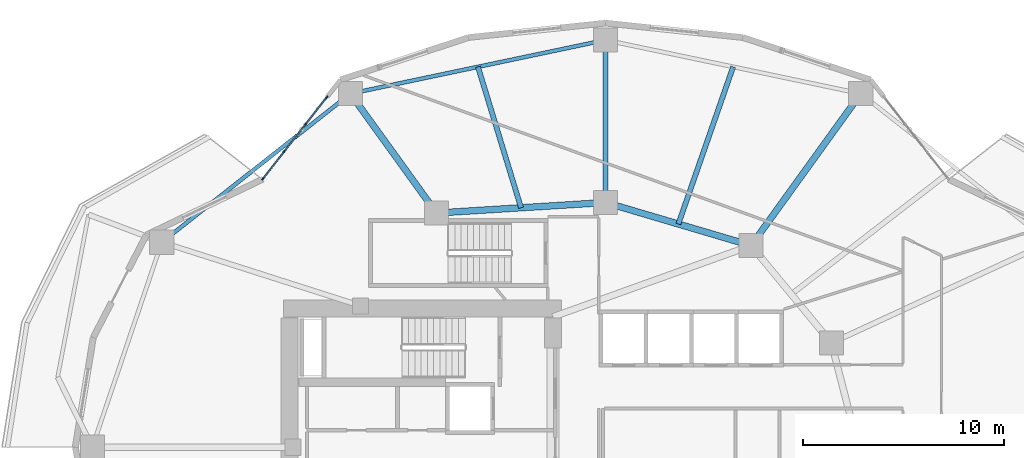
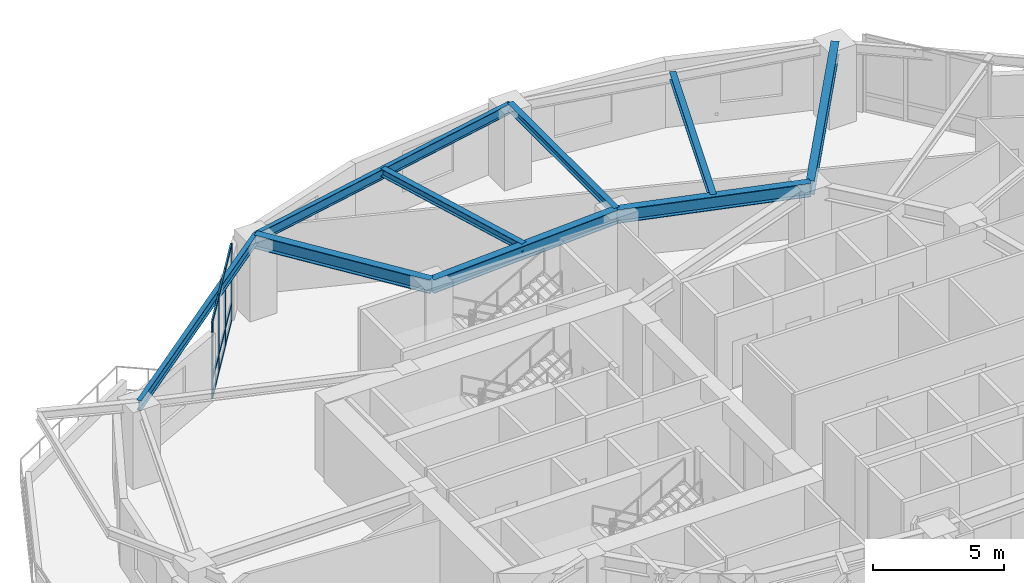
# One storey, part 2 of 12: 13 members, 9 beams, 1 element without a shape of its own.
"""IFC4 building model written with IfcOpenShell, lengths in metres."""

from ifc_helpers import new_model, si_unit, direction, frame, origin, origin_2d, place, context, subcontext, project, spatial, rectangle, i_section, extrude, material, layer, layer_set, material_profile, profile_set, type_object, element, aggregate, save


model = new_model("IFC4")

# Units and contexts
model_context = context("Model", 3, precision=1e-05, world=origin(), true_north=direction((0.0, 1.0)))
body_context = subcontext(model_context, "Body", "Model", "MODEL_VIEW")
ifc_project = project(units=[si_unit("LENGTHUNIT", "METRE"), si_unit("AREAUNIT", "SQUARE_METRE"), si_unit("VOLUMEUNIT", "CUBIC_METRE"), si_unit("PLANEANGLEUNIT", "RADIAN"), si_unit("MASSUNIT", "GRAM", prefix="KILO")], contexts=[model_context])

# Site, building, storey
site_placement = place(None, origin())
site = spatial("IfcSite", under=ifc_project, at=site_placement, CompositionType="ELEMENT")
building_placement = place(site_placement, origin())
building = spatial("IfcBuilding", under=site, at=building_placement, Name="Kolvaren Gate Tower and Convention Centre", CompositionType="ELEMENT")
storey_placement = place(building_placement, frame((0.0, 0.0, 84.25)))
storey = spatial("IfcBuildingStorey", under=building, at=storey_placement, Name="L20", CompositionType="ELEMENT", Elevation=84.25)

# Curtain wall, members
ifc_material_1 = material(Name="Anodized Architectural Aluminium Alloy 6063-T6", Category="aluminium")
ifc_layer = layer(ifc_material_1, 0.159912109375)
ifc_layer_set = layer_set([ifc_layer], Name="Anodized Architectural Aluminium Alloy 6063-T6")
curtain_wall_type = type_object("IfcCurtainWallType", Name="CW-OFF-UNIT", PredefinedType="NOTDEFINED", material=ifc_layer_set)
curtain_wall_placement = place(storey_placement, origin())
curtain_wall = element("IfcCurtainWall", 1, at=curtain_wall_placement, inside=storey, type_object=curtain_wall_type, Name="Tower L20 Unitised Curtain Wall CW-OFF-UNIT Bay 08", PredefinedType="NOTDEFINED")
ifc_material_profile_1 = material_profile(ifc_material_1, rectangle(XDim=0.06494140625, YDim=0.159912109375, at=origin_2d()), Name="CW-MEM-MUL-160")
ifc_profile_set_1 = profile_set([ifc_material_profile_1], Name="Anodized Architectural Aluminium Alloy 6063-T6")
member_type_1 = type_object("IfcMemberType", Name="CW-MEM-MUL-160", PredefinedType="MULLION", material=ifc_profile_set_1)
member_1_placement = place(storey_placement, frame((13.046142578125, 40.3857421875, 0.0), z_axis=(0.0, 0.0, 1.0), x_axis=(-0.787403080271, 0.616438471527, 0.0)))
member_1 = element("IfcMember", 2, at=member_1_placement, type_object=member_type_1, Name="CW-02 mullion 1", PredefinedType="MULLION", context=body_context, shape_type="SweptSolid", body=[
    extrude(rectangle(XDim=0.06494140625, YDim=0.159912109375, at=origin_2d()), origin(), (0.0, 0.0, 1.0), 3.570068359375),
])
member_2_placement = place(storey_placement, frame((14.098388671875, 41.729736328125, 0.0), z_axis=(0.0, 0.0, 1.0), x_axis=(-0.787403080271, 0.616438471527, 0.0)))
member_2 = element("IfcMember", 3, at=member_2_placement, type_object=member_type_1, Name="CW-02 mullion 2", PredefinedType="MULLION", context=body_context, shape_type="SweptSolid", body=[
    extrude(rectangle(XDim=0.06494140625, YDim=0.159912109375, at=origin_2d()), origin(), (0.0, 0.0, 1.0), 3.570068359375),
])
member_3_placement = place(storey_placement, frame((15.17041015625, 43.09912109375, 0.0), z_axis=(0.0, 0.0, 1.0), x_axis=(-0.787403080271, 0.616438471527, 0.0)))
member_3 = element("IfcMember", 4, at=member_3_placement, type_object=member_type_1, Name="CW-02 mullion 3", PredefinedType="MULLION", context=body_context, shape_type="SweptSolid", body=[
    extrude(rectangle(XDim=0.06494140625, YDim=0.159912109375, at=origin_2d()), origin(), (0.0, 0.0, 1.0), 3.570068359375),
])
member_4_placement = place(storey_placement, frame((16.22265625, 44.443115234375, 0.0), z_axis=(0.0, 0.0, 1.0), x_axis=(-0.787403080271, 0.616438471527, 0.0)))
member_4 = element("IfcMember", 5, at=member_4_placement, type_object=member_type_1, Name="CW-02 mullion 4", PredefinedType="MULLION", context=body_context, shape_type="SweptSolid", body=[
    extrude(rectangle(XDim=0.06494140625, YDim=0.159912109375, at=origin_2d()), origin(), (0.0, 0.0, 1.0), 3.570068359375),
])
ifc_material_profile_2 = material_profile(ifc_material_1, rectangle(XDim=0.06494140625, YDim=0.159912109375, at=origin_2d()), Name="CW-MEM-TRN-160")
ifc_profile_set_2 = profile_set([ifc_material_profile_2], Name="Anodized Architectural Aluminium Alloy 6063-T6")
member_type_2 = type_object("IfcMemberType", Name="CW-MEM-TRN-160", PredefinedType="USERDEFINED", material=ifc_profile_set_2)
member_5_placement = place(storey_placement, frame((13.066162109375, 40.411376953125, 0.032470703125), z_axis=(0.61650069609, 0.787354362228, 0.0), x_axis=(-0.787354362228, 0.61650069609, 0.0)))
member_5 = element("IfcMember", 6, at=member_5_placement, type_object=member_type_2, Name="CW-02 transom 1.1", ObjectType="TRANSOM", PredefinedType="USERDEFINED", context=body_context, shape_type="SweptSolid", body=[
    extrude(rectangle(XDim=0.06494140625, YDim=0.159912109375, at=origin_2d()), origin(), (0.0, 0.0, 1.0), 1.641845703125),
])
member_6_placement = place(storey_placement, frame((13.066162109375, 40.411376953125, 0.85009765625), z_axis=(0.61650069609, 0.787354362228, 0.0), x_axis=(-0.787354362228, 0.61650069609, 0.0)))
member_6 = element("IfcMember", 7, at=member_6_placement, type_object=member_type_2, Name="CW-02 transom 1.2", ObjectType="TRANSOM", PredefinedType="USERDEFINED", context=body_context, shape_type="SweptSolid", body=[
    extrude(rectangle(XDim=0.06494140625, YDim=0.159912109375, at=origin_2d()), origin(), (0.0, 0.0, 1.0), 1.641845703125),
])
member_7_placement = place(storey_placement, frame((13.066162109375, 40.411376953125, 3.53759765625), z_axis=(0.61650069609, 0.787354362228, 0.0), x_axis=(-0.787354362228, 0.61650069609, 0.0)))
member_7 = element("IfcMember", 8, at=member_7_placement, type_object=member_type_2, Name="CW-02 transom 1.3", ObjectType="TRANSOM", PredefinedType="USERDEFINED", context=body_context, shape_type="SweptSolid", body=[
    extrude(rectangle(XDim=0.06494140625, YDim=0.159912109375, at=origin_2d()), origin(), (0.0, 0.0, 1.0), 1.641845703125),
])
member_8_placement = place(storey_placement, frame((14.118408203125, 41.75537109375, 0.032470703125), z_axis=(0.61639082822, 0.787440376718, 0.0), x_axis=(-0.787440376718, 0.61639082822, 0.0)))
member_8 = element("IfcMember", 9, at=member_8_placement, type_object=member_type_2, Name="CW-02 transom 2.1", ObjectType="TRANSOM", PredefinedType="USERDEFINED", context=body_context, shape_type="SweptSolid", body=[
    extrude(rectangle(XDim=0.06494140625, YDim=0.159912109375, at=origin_2d()), origin(), (0.0, 0.0, 1.0), 1.67431640625),
])
member_9_placement = place(storey_placement, frame((14.118408203125, 41.75537109375, 0.85009765625), z_axis=(0.61639082822, 0.787440376718, 0.0), x_axis=(-0.787440376718, 0.61639082822, 0.0)))
member_9 = element("IfcMember", 10, at=member_9_placement, type_object=member_type_2, Name="CW-02 transom 2.2", ObjectType="TRANSOM", PredefinedType="USERDEFINED", context=body_context, shape_type="SweptSolid", body=[
    extrude(rectangle(XDim=0.06494140625, YDim=0.159912109375, at=origin_2d()), origin(), (0.0, 0.0, 1.0), 1.67431640625),
])
member_10_placement = place(storey_placement, frame((14.118408203125, 41.75537109375, 3.53759765625), z_axis=(0.61639082822, 0.787440376718, 0.0), x_axis=(-0.787440376718, 0.61639082822, 0.0)))
member_10 = element("IfcMember", 11, at=member_10_placement, type_object=member_type_2, Name="CW-02 transom 2.3", ObjectType="TRANSOM", PredefinedType="USERDEFINED", context=body_context, shape_type="SweptSolid", body=[
    extrude(rectangle(XDim=0.06494140625, YDim=0.159912109375, at=origin_2d()), origin(), (0.0, 0.0, 1.0), 1.67431640625),
])
member_11_placement = place(storey_placement, frame((15.1904296875, 43.124755859375, 0.032470703125), z_axis=(0.616428523412, 0.787410868304, 0.0), x_axis=(-0.787410868304, 0.616428523412, 0.0)))
member_11 = element("IfcMember", 12, at=member_11_placement, type_object=member_type_2, Name="CW-02 transom 3.1", ObjectType="TRANSOM", PredefinedType="USERDEFINED", context=body_context, shape_type="SweptSolid", body=[
    extrude(rectangle(XDim=0.06494140625, YDim=0.159912109375, at=origin_2d()), origin(), (0.0, 0.0, 1.0), 1.64208984375),
])
member_12_placement = place(storey_placement, frame((15.1904296875, 43.124755859375, 0.85009765625), z_axis=(0.616428523412, 0.787410868304, 0.0), x_axis=(-0.787410868304, 0.616428523412, 0.0)))
member_12 = element("IfcMember", 13, at=member_12_placement, type_object=member_type_2, Name="CW-02 transom 3.2", ObjectType="TRANSOM", PredefinedType="USERDEFINED", context=body_context, shape_type="SweptSolid", body=[
    extrude(rectangle(XDim=0.06494140625, YDim=0.159912109375, at=origin_2d()), origin(), (0.0, 0.0, 1.0), 1.64208984375),
])
member_13_placement = place(storey_placement, frame((15.1904296875, 43.124755859375, 3.53759765625), z_axis=(0.616428523412, 0.787410868304, 0.0), x_axis=(-0.787410868304, 0.616428523412, 0.0)))
member_13 = element("IfcMember", 14, at=member_13_placement, type_object=member_type_2, Name="CW-02 transom 3.3", ObjectType="TRANSOM", PredefinedType="USERDEFINED", context=body_context, shape_type="SweptSolid", body=[
    extrude(rectangle(XDim=0.06494140625, YDim=0.159912109375, at=origin_2d()), origin(), (0.0, 0.0, 1.0), 1.64208984375),
])
aggregate(curtain_wall, [member_1, member_2, member_3, member_4, member_5, member_6, member_7, member_8, member_9, member_10, member_11, member_12, member_13])

# Beams
ifc_material_2 = material(Name="Structural steel ASTM A992 Grade 345 MPa", Category="steel")
ifc_material_profile_3 = material_profile(ifc_material_2, i_section(OverallWidth=0.327880859375, OverallDepth=0.6279296875, WebThickness=0.0166015625, FlangeThickness=0.027587890625, at=origin_2d()), Name="W610X217")
ifc_profile_set_3 = profile_set([ifc_material_profile_3], Name="Structural steel ASTM A992 Grade 345 MPa")
beam_type_1 = type_object("IfcBeamType", Name="STR-BM-W610X217", PredefinedType="BEAM", material=ifc_profile_set_3)
beam_1_placement = place(storey_placement, frame((37.381591796875, 37.054931640625, 3.256103515625), z_axis=(-0.958980837827, 0.283470902706, 0.0), x_axis=(-0.283470902706, -0.958980837827, 0.0)))
element("IfcBeam", 15, at=beam_1_placement, inside=storey, type_object=beam_type_1, Name="Tower L20 Primary Ring Girder G-03", PredefinedType="BEAM", context=body_context, shape_type="SweptSolid", body=[
    extrude(i_section(OverallWidth=0.327880859375, OverallDepth=0.6279296875, WebThickness=0.0166015625, FlangeThickness=0.027587890625, at=origin_2d()), origin(), (0.0, 0.0, 1.0), 7.56689453125),
])
beam_2_placement = place(storey_placement, frame((30.125, 39.199951171875, 3.256103515625), z_axis=(-0.998078258568, -0.06196603726, 0.0), x_axis=(0.06196603726, -0.998078258568, 0.0)))
element("IfcBeam", 16, at=beam_2_placement, inside=storey, type_object=beam_type_1, Name="Tower L20 Primary Ring Girder G-04", PredefinedType="BEAM", context=body_context, shape_type="SweptSolid", body=[
    extrude(i_section(OverallWidth=0.327880859375, OverallDepth=0.6279296875, WebThickness=0.0166015625, FlangeThickness=0.027587890625, at=origin_2d()), origin(), (0.0, 0.0, 1.0), 8.443115234375),
])
beam_3_placement = place(storey_placement, frame((37.381591796875, 37.054931640625, 3.256103515625), z_axis=(0.585207971848, 0.810883240477, 0.0), x_axis=(-0.810883240477, 0.585207971848, 0.0)))
element("IfcBeam", 17, at=beam_3_placement, inside=storey, type_object=beam_type_1, Name="Tower L20 Radial Floor Girder RB-03", PredefinedType="BEAM", context=body_context, shape_type="SweptSolid", body=[
    extrude(i_section(OverallWidth=0.327880859375, OverallDepth=0.6279296875, WebThickness=0.0166015625, FlangeThickness=0.027587890625, at=origin_2d()), origin(), (0.0, 0.0, 1.0), 9.33837890625),
])
beam_4_placement = place(storey_placement, frame((21.697998046875, 38.6767578125, 3.256103515625), z_axis=(-0.585190474102, 0.810895868173, 0.0), x_axis=(-0.810895868173, -0.585190474102, 0.0)))
element("IfcBeam", 18, at=beam_4_placement, inside=storey, type_object=beam_type_1, Name="Tower L20 Radial Floor Girder RB-05", PredefinedType="BEAM", context=body_context, shape_type="SweptSolid", body=[
    extrude(i_section(OverallWidth=0.327880859375, OverallDepth=0.6279296875, WebThickness=0.0166015625, FlangeThickness=0.027587890625, at=origin_2d()), origin(), (0.0, 0.0, 1.0), 7.338134765625),
])
ifc_material_profile_4 = material_profile(ifc_material_2, i_section(OverallWidth=0.2548828125, OverallDepth=0.35693359375, WebThickness=0.010498046875, FlangeThickness=0.018310546875, at=origin_2d()), Name="W360X101")
ifc_profile_set_4 = profile_set([ifc_material_profile_4], Name="Structural steel ASTM A992 Grade 345 MPa")
beam_type_2 = type_object("IfcBeamType", Name="STR-JS-W360X101", PredefinedType="JOIST", material=ifc_profile_set_4)
beam_5_placement = place(storey_placement, frame((30.125, 39.199951171875, 3.3916015625), z_axis=(0.0, 1.0, 0.0), x_axis=(-1.0, 0.0, 0.0)))
element("IfcBeam", 19, at=beam_5_placement, inside=storey, type_object=beam_type_2, Name="Tower L20 Radial Floor Girder RB-04", PredefinedType="JOIST", context=body_context, shape_type="SweptSolid", body=[
    extrude(i_section(OverallWidth=0.2548828125, OverallDepth=0.35693359375, WebThickness=0.010498046875, FlangeThickness=0.018310546875, at=origin_2d()), origin(), (0.0, 0.0, 1.0), 8.10009765625),
])
beam_6_placement = place(storey_placement, frame((33.75341796875, 38.12744140625, 3.3916015625), z_axis=(0.329233693857, 0.944248470917, 0.0), x_axis=(-0.944248470917, 0.329233693857, 0.0)))
element("IfcBeam", 20, at=beam_6_placement, inside=storey, type_object=beam_type_2, Name="Tower L20 Secondary Composite Floor Joist J-03.1", PredefinedType="JOIST", context=body_context, shape_type="SweptSolid", body=[
    extrude(i_section(OverallWidth=0.2548828125, OverallDepth=0.35693359375, WebThickness=0.010498046875, FlangeThickness=0.018310546875, at=origin_2d()), origin(), (0.0, 0.0, 1.0), 8.298583984375),
])
beam_7_placement = place(storey_placement, frame((25.91162109375, 38.938232421875, 3.3916015625), z_axis=(-0.292298748053, 0.956327058012, 0.0), x_axis=(-0.956327058012, -0.292298748053, 0.0)))
element("IfcBeam", 21, at=beam_7_placement, inside=storey, type_object=beam_type_2, Name="Tower L20 Secondary Composite Floor Joist J-04.1", PredefinedType="JOIST", context=body_context, shape_type="SweptSolid", body=[
    extrude(i_section(OverallWidth=0.2548828125, OverallDepth=0.35693359375, WebThickness=0.010498046875, FlangeThickness=0.018310546875, at=origin_2d()), origin(), (0.0, 0.0, 1.0), 7.345947265625),
])
ifc_material_profile_5 = material_profile(ifc_material_2, i_section(OverallWidth=0.194091796875, OverallDepth=0.468994140625, WebThickness=0.0126953125, FlangeThickness=0.0205078125, at=origin_2d()), Name="W460X106")
ifc_profile_set_5 = profile_set([ifc_material_profile_5], Name="Structural steel ASTM A992 Grade 345 MPa")
beam_type_3 = type_object("IfcBeamType", Name="STR-SP-W460X106", PredefinedType="SPANDREL", material=ifc_profile_set_5)
beam_8_placement = place(storey_placement, frame((30.125, 47.300048828125, 3.33544921875), z_axis=(-0.97863180809, -0.205620485836, 0.0), x_axis=(0.205620485836, -0.97863180809, 0.0)))
element("IfcBeam", 22, at=beam_8_placement, inside=storey, type_object=beam_type_3, Name="Tower L20 Perimeter Spandrel Beam SP-04", PredefinedType="SPANDREL", context=body_context, shape_type="SweptSolid", body=[
    extrude(i_section(OverallWidth=0.194091796875, OverallDepth=0.468994140625, WebThickness=0.0126953125, FlangeThickness=0.0205078125, at=origin_2d()), origin(), (0.0, 0.0, 1.0), 12.9990234375),
])
beam_9_placement = place(storey_placement, frame((17.40380859375, 44.627197265625, 3.33544921875), z_axis=(-0.785467636887, -0.618902731778, 0.0), x_axis=(0.618902731778, -0.785467636887, 0.0)))
element("IfcBeam", 23, at=beam_9_placement, inside=storey, type_object=beam_type_3, Name="Tower L20 Perimeter Spandrel Beam SP-05", PredefinedType="SPANDREL", context=body_context, shape_type="SweptSolid", body=[
    extrude(i_section(OverallWidth=0.194091796875, OverallDepth=0.468994140625, WebThickness=0.0126953125, FlangeThickness=0.0205078125, at=origin_2d()), origin(), (0.0, 0.0, 1.0), 11.970703125),
])

save(model, "model.ifc")
